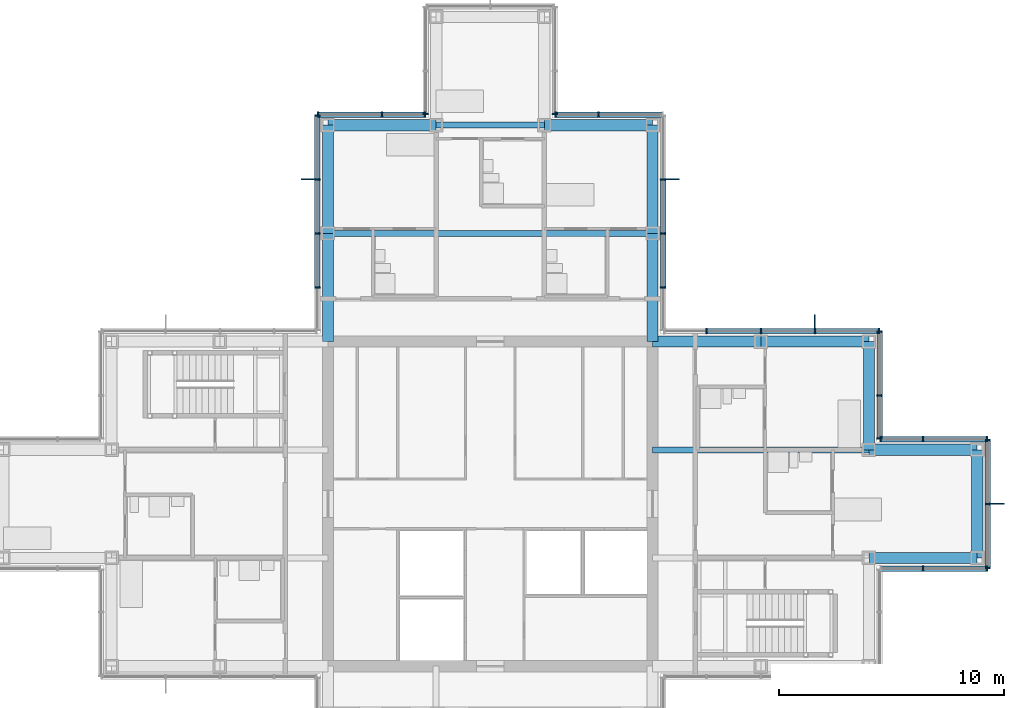
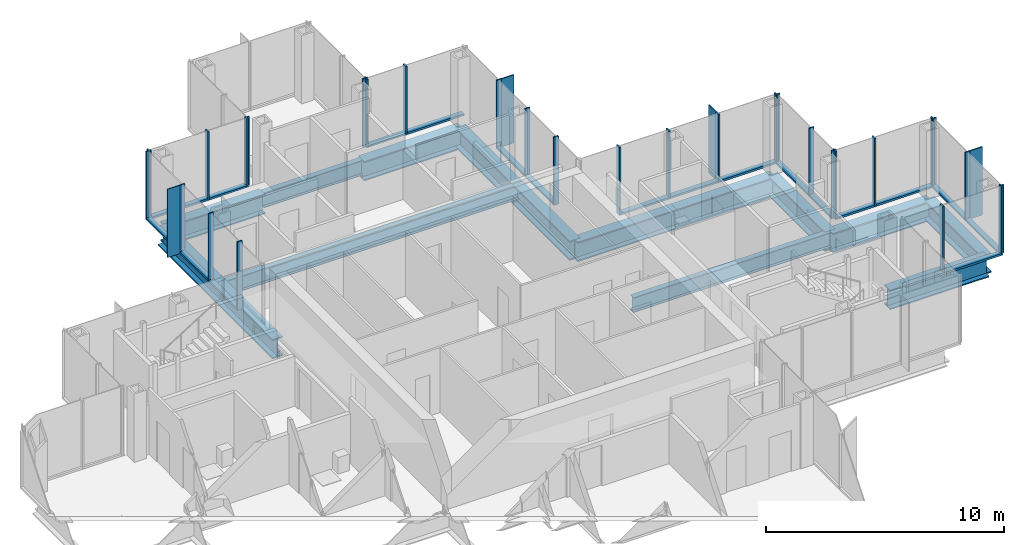
# One storey, part 8 of 17: 53 members, 15 beams, 11 elements without a shape of their own.
"""IFC4 building model written with IfcOpenShell, lengths in metres."""

from ifc_helpers import new_model, si_unit, direction, frame, origin, origin_2d, place, context, subcontext, project, spatial, rectangle, i_section, extrude, material, material_profile, profile_set, type_object, element, aggregate, save


model = new_model("IFC4")

# Units and contexts
model_context = context("Model", 3, precision=1e-05, world=origin(), true_north=direction((0.0, 1.0)))
body_context = subcontext(model_context, "Body", "Model", "MODEL_VIEW")
ifc_project = project(units=[si_unit("LENGTHUNIT", "METRE"), si_unit("AREAUNIT", "SQUARE_METRE"), si_unit("VOLUMEUNIT", "CUBIC_METRE"), si_unit("PLANEANGLEUNIT", "RADIAN"), si_unit("MASSUNIT", "GRAM", prefix="KILO")], contexts=[model_context])

# Site, building, storey
site_placement = place(None, origin())
site = spatial("IfcSite", under=ifc_project, at=site_placement, CompositionType="ELEMENT")
building_placement = place(site_placement, origin())
building = spatial("IfcBuilding", under=site, at=building_placement, Name="Kvirike Care Tower", CompositionType="ELEMENT")
storey_placement = place(building_placement, frame((0.0, 0.0, 176.0)))
storey = spatial("IfcBuildingStorey", under=building, at=storey_placement, Name="L48", CompositionType="ELEMENT", Elevation=176.0)

# Curtain wall, member
ifc_material_1 = material(Name="Anodised aluminium stick system", Category="aluminium")
curtain_wall_type = type_object("IfcCurtainWallType", Name="CW-C STICK CURTAIN WALL", PredefinedType="NOTDEFINED", material=ifc_material_1)
curtain_wall_1_placement = place(storey_placement, origin())
curtain_wall_1 = element("IfcCurtainWall", 1, at=curtain_wall_1_placement, inside=storey, type_object=curtain_wall_type, Name="Curtain wall L48 face 4", PredefinedType="NOTDEFINED")
ifc_material_2 = material(Name="Bronze anodised aluminium fin", Category="aluminium")
ifc_material_profile_1 = material_profile(ifc_material_2, rectangle(XDim=0.050048828125, YDim=0.60009765625, at=origin_2d()), Name="BRONZE FIN 600")
ifc_profile_set_1 = profile_set([ifc_material_profile_1], Name="Bronze anodised aluminium fin")
member_type_1 = type_object("IfcMemberType", Name="BRONZE FIN 600", PredefinedType="USERDEFINED", material=ifc_profile_set_1)
member_1_placement = place(storey_placement, frame((44.090087890625, 36.0, 0.0), z_axis=(0.0, 0.0, 1.0), x_axis=(0.0, 1.0, 0.0)))
member_1 = element("IfcMember", 2, at=member_1_placement, type_object=member_type_1, Name="Bronze fin L48 face 4.2", ObjectType="FIN", PredefinedType="USERDEFINED", context=body_context, shape_type="SweptSolid", body=[
    extrude(rectangle(XDim=0.050048828125, YDim=0.60009765625, at=origin_2d()), origin(), (0.0, 0.0, 1.0), 3.5),
])

curtain_wall_2_placement = place(storey_placement, origin())
curtain_wall_2 = element("IfcCurtainWall", 3, at=curtain_wall_2_placement, inside=storey, type_object=curtain_wall_type, Name="Curtain wall L48 face 7", PredefinedType="NOTDEFINED")
member_2_placement = place(storey_placement, frame((36.0, 44.090087890625, 0.0), z_axis=(0.0, 0.0, 1.0), x_axis=(-1.0, 0.0, 0.0)))
member_2 = element("IfcMember", 4, at=member_2_placement, type_object=member_type_1, Name="Bronze fin L48 face 7.2", ObjectType="FIN", PredefinedType="USERDEFINED", context=body_context, shape_type="SweptSolid", body=[
    extrude(rectangle(XDim=0.050048828125, YDim=0.60009765625, at=origin_2d()), origin(), (0.0, 0.0, 1.0), 3.5),
])

curtain_wall_3_placement = place(storey_placement, origin())
curtain_wall_3 = element("IfcCurtainWall", 5, at=curtain_wall_3_placement, inside=storey, type_object=curtain_wall_type, Name="Curtain wall L48 face 8", PredefinedType="NOTDEFINED")
member_3_placement = place(storey_placement, frame((29.68994140625, 50.39990234375, 0.0), z_axis=(0.0, 0.0, 1.0), x_axis=(0.0, 1.0, 0.0)))
member_3 = element("IfcMember", 6, at=member_3_placement, type_object=member_type_1, Name="Bronze fin L48 face 8.4", ObjectType="FIN", PredefinedType="USERDEFINED", context=body_context, shape_type="SweptSolid", body=[
    extrude(rectangle(XDim=0.050048828125, YDim=0.60009765625, at=origin_2d()), origin(), (0.0, 0.0, 1.0), 3.5),
])

curtain_wall_4_placement = place(storey_placement, origin())
curtain_wall_4 = element("IfcCurtainWall", 7, at=curtain_wall_4_placement, inside=storey, type_object=curtain_wall_type, Name="Curtain wall L48 face 14", PredefinedType="NOTDEFINED")
member_4_placement = place(storey_placement, frame((13.510009765625, 50.39990234375, 0.0), z_axis=(0.0, 0.0, 1.0), x_axis=(0.0, -1.0, 0.0)))
member_4 = element("IfcMember", 8, at=member_4_placement, type_object=member_type_1, Name="Bronze fin L48 face 14.2", ObjectType="FIN", PredefinedType="USERDEFINED", context=body_context, shape_type="SweptSolid", body=[
    extrude(rectangle(XDim=0.050048828125, YDim=0.60009765625, at=origin_2d()), origin(), (0.0, 0.0, 1.0), 3.5),
])

# Curtain wall, members
curtain_wall_5_placement = place(storey_placement, origin())
curtain_wall_5 = element("IfcCurtainWall", 9, at=curtain_wall_5_placement, inside=storey, type_object=curtain_wall_type, Name="Curtain wall L48 face 3", PredefinedType="NOTDEFINED")
ifc_material_3 = material(Name="Bronze anodised aluminium mullion", Category="aluminium")
ifc_material_profile_2 = material_profile(ifc_material_3, rectangle(XDim=0.06494140625, YDim=0.239990234375, at=origin_2d()), Name="CW-C MULLION 65x240")
ifc_profile_set_2 = profile_set([ifc_material_profile_2], Name="Bronze anodised aluminium mullion")
member_type_2 = type_object("IfcMemberType", Name="CW-C MULLION 65x240", PredefinedType="MULLION", material=ifc_profile_set_2)
member_5_placement = place(storey_placement, frame((40.800048828125, 33.1298828125, 0.0), z_axis=(0.0, 0.0, 1.0), x_axis=(1.0, 0.0, 0.0)))
member_5 = element("IfcMember", 10, at=member_5_placement, type_object=member_type_2, Name="CW-C mullion L48 face 3.2", PredefinedType="MULLION", context=body_context, shape_type="SweptSolid", body=[
    extrude(rectangle(XDim=0.06494140625, YDim=0.239990234375, at=origin_2d()), origin(), (0.0, 0.0, 1.0), 3.5),
])
member_6_placement = place(storey_placement, frame((43.637451171875, 33.1298828125, 0.0), z_axis=(0.0, 0.0, 1.0), x_axis=(1.0, 0.0, 0.0)))
member_6 = element("IfcMember", 11, at=member_6_placement, type_object=member_type_2, Name="CW-C mullion L48 face 3.3", PredefinedType="MULLION", context=body_context, shape_type="SweptSolid", body=[
    extrude(rectangle(XDim=0.06494140625, YDim=0.239990234375, at=origin_2d()), origin(), (0.0, 0.0, 1.0), 3.5),
])

# Member
member_7_placement = place(storey_placement, frame((43.669921875, 33.16259765625, 0.0), z_axis=(0.0, 0.0, 1.0), x_axis=(0.0, 1.0, 0.0)))
member_7 = element("IfcMember", 12, at=member_7_placement, type_object=member_type_2, Name="CW-C mullion L48 face 4.1", PredefinedType="MULLION", context=body_context, shape_type="SweptSolid", body=[
    extrude(rectangle(XDim=0.06494140625, YDim=0.239990234375, at=origin_2d()), origin(), (0.0, 0.0, 1.0), 3.5),
])

member_8_placement = place(storey_placement, frame((43.669921875, 36.0, 0.0), z_axis=(0.0, 0.0, 1.0), x_axis=(0.0, 1.0, 0.0)))
member_8 = element("IfcMember", 13, at=member_8_placement, type_object=member_type_2, Name="CW-C mullion L48 face 4.2", PredefinedType="MULLION", context=body_context, shape_type="SweptSolid", body=[
    extrude(rectangle(XDim=0.06494140625, YDim=0.239990234375, at=origin_2d()), origin(), (0.0, 0.0, 1.0), 3.5),
])

member_9_placement = place(storey_placement, frame((43.669921875, 38.83740234375, 0.0), z_axis=(0.0, 0.0, 1.0), x_axis=(0.0, 1.0, 0.0)))
member_9 = element("IfcMember", 14, at=member_9_placement, type_object=member_type_2, Name="CW-C mullion L48 face 4.3", PredefinedType="MULLION", context=body_context, shape_type="SweptSolid", body=[
    extrude(rectangle(XDim=0.06494140625, YDim=0.239990234375, at=origin_2d()), origin(), (0.0, 0.0, 1.0), 3.5),
])

# Curtain wall, members
curtain_wall_6_placement = place(storey_placement, origin())
curtain_wall_6 = element("IfcCurtainWall", 15, at=curtain_wall_6_placement, inside=storey, type_object=curtain_wall_type, Name="Curtain wall L48 face 5", PredefinedType="NOTDEFINED")
member_10_placement = place(storey_placement, frame((43.637451171875, 38.8701171875, 0.0), z_axis=(0.0, 0.0, 1.0), x_axis=(-1.0, 0.0, 0.0)))
member_10 = element("IfcMember", 16, at=member_10_placement, type_object=member_type_2, Name="CW-C mullion L48 face 5.1", PredefinedType="MULLION", context=body_context, shape_type="SweptSolid", body=[
    extrude(rectangle(XDim=0.06494140625, YDim=0.239990234375, at=origin_2d()), origin(), (0.0, 0.0, 1.0), 3.5),
])
member_11_placement = place(storey_placement, frame((40.800048828125, 38.8701171875, 0.0), z_axis=(0.0, 0.0, 1.0), x_axis=(-1.0, 0.0, 0.0)))
member_11 = element("IfcMember", 17, at=member_11_placement, type_object=member_type_2, Name="CW-C mullion L48 face 5.2", PredefinedType="MULLION", context=body_context, shape_type="SweptSolid", body=[
    extrude(rectangle(XDim=0.06494140625, YDim=0.239990234375, at=origin_2d()), origin(), (0.0, 0.0, 1.0), 3.5),
])
member_12_placement = place(storey_placement, frame((38.902587890625, 38.8701171875, 0.0), z_axis=(0.0, 0.0, 1.0), x_axis=(-1.0, 0.0, 0.0)))
member_12 = element("IfcMember", 18, at=member_12_placement, type_object=member_type_2, Name="CW-C mullion L48 face 5.3", PredefinedType="MULLION", context=body_context, shape_type="SweptSolid", body=[
    extrude(rectangle(XDim=0.06494140625, YDim=0.239990234375, at=origin_2d()), origin(), (0.0, 0.0, 1.0), 3.5),
])

curtain_wall_7_placement = place(storey_placement, origin())
curtain_wall_7 = element("IfcCurtainWall", 19, at=curtain_wall_7_placement, inside=storey, type_object=curtain_wall_type, Name="Curtain wall L48 face 6", PredefinedType="NOTDEFINED")
member_13_placement = place(storey_placement, frame((38.8701171875, 38.902587890625, 0.0), z_axis=(0.0, 0.0, 1.0), x_axis=(0.0, 1.0, 0.0)))
member_13 = element("IfcMember", 20, at=member_13_placement, type_object=member_type_2, Name="CW-C mullion L48 face 6.1", PredefinedType="MULLION", context=body_context, shape_type="SweptSolid", body=[
    extrude(rectangle(XDim=0.06494140625, YDim=0.239990234375, at=origin_2d()), origin(), (0.0, 0.0, 1.0), 3.5),
])
member_14_placement = place(storey_placement, frame((38.8701171875, 40.800048828125, 0.0), z_axis=(0.0, 0.0, 1.0), x_axis=(0.0, 1.0, 0.0)))
member_14 = element("IfcMember", 21, at=member_14_placement, type_object=member_type_2, Name="CW-C mullion L48 face 6.2", PredefinedType="MULLION", context=body_context, shape_type="SweptSolid", body=[
    extrude(rectangle(XDim=0.06494140625, YDim=0.239990234375, at=origin_2d()), origin(), (0.0, 0.0, 1.0), 3.5),
])
member_15_placement = place(storey_placement, frame((38.8701171875, 43.637451171875, 0.0), z_axis=(0.0, 0.0, 1.0), x_axis=(0.0, 1.0, 0.0)))
member_15 = element("IfcMember", 22, at=member_15_placement, type_object=member_type_2, Name="CW-C mullion L48 face 6.3", PredefinedType="MULLION", context=body_context, shape_type="SweptSolid", body=[
    extrude(rectangle(XDim=0.06494140625, YDim=0.239990234375, at=origin_2d()), origin(), (0.0, 0.0, 1.0), 3.5),
])

# Member
member_16_placement = place(storey_placement, frame((38.83740234375, 43.669921875, 0.0), z_axis=(0.0, 0.0, 1.0), x_axis=(-1.0, 0.0, 0.0)))
member_16 = element("IfcMember", 23, at=member_16_placement, type_object=member_type_2, Name="CW-C mullion L48 face 7.1", PredefinedType="MULLION", context=body_context, shape_type="SweptSolid", body=[
    extrude(rectangle(XDim=0.06494140625, YDim=0.239990234375, at=origin_2d()), origin(), (0.0, 0.0, 1.0), 3.5),
])

member_17_placement = place(storey_placement, frame((36.0, 43.669921875, 0.0), z_axis=(0.0, 0.0, 1.0), x_axis=(-1.0, 0.0, 0.0)))
member_17 = element("IfcMember", 24, at=member_17_placement, type_object=member_type_2, Name="CW-C mullion L48 face 7.2", PredefinedType="MULLION", context=body_context, shape_type="SweptSolid", body=[
    extrude(rectangle(XDim=0.06494140625, YDim=0.239990234375, at=origin_2d()), origin(), (0.0, 0.0, 1.0), 3.5),
])

member_18_placement = place(storey_placement, frame((33.60009765625, 43.669921875, 0.0), z_axis=(0.0, 0.0, 1.0), x_axis=(-1.0, 0.0, 0.0)))
member_18 = element("IfcMember", 25, at=member_18_placement, type_object=member_type_2, Name="CW-C mullion L48 face 7.3", PredefinedType="MULLION", context=body_context, shape_type="SweptSolid", body=[
    extrude(rectangle(XDim=0.06494140625, YDim=0.239990234375, at=origin_2d()), origin(), (0.0, 0.0, 1.0), 3.5),
])

member_19_placement = place(storey_placement, frame((31.199951171875, 43.669921875, 0.0), z_axis=(0.0, 0.0, 1.0), x_axis=(-1.0, 0.0, 0.0)))
member_19 = element("IfcMember", 26, at=member_19_placement, type_object=member_type_2, Name="CW-C mullion L48 face 7.4", PredefinedType="MULLION", context=body_context, shape_type="SweptSolid", body=[
    extrude(rectangle(XDim=0.06494140625, YDim=0.239990234375, at=origin_2d()), origin(), (0.0, 0.0, 1.0), 3.5),
])

member_20_placement = place(storey_placement, frame((29.27001953125, 45.60009765625, 0.0), z_axis=(0.0, 0.0, 1.0), x_axis=(0.0, 1.0, 0.0)))
member_20 = element("IfcMember", 27, at=member_20_placement, type_object=member_type_2, Name="CW-C mullion L48 face 8.2", PredefinedType="MULLION", context=body_context, shape_type="SweptSolid", body=[
    extrude(rectangle(XDim=0.06494140625, YDim=0.239990234375, at=origin_2d()), origin(), (0.0, 0.0, 1.0), 3.5),
])

member_21_placement = place(storey_placement, frame((29.27001953125, 48.0, 0.0), z_axis=(0.0, 0.0, 1.0), x_axis=(0.0, 1.0, 0.0)))
member_21 = element("IfcMember", 28, at=member_21_placement, type_object=member_type_2, Name="CW-C mullion L48 face 8.3", PredefinedType="MULLION", context=body_context, shape_type="SweptSolid", body=[
    extrude(rectangle(XDim=0.06494140625, YDim=0.239990234375, at=origin_2d()), origin(), (0.0, 0.0, 1.0), 3.5),
])

member_22_placement = place(storey_placement, frame((29.27001953125, 50.39990234375, 0.0), z_axis=(0.0, 0.0, 1.0), x_axis=(0.0, 1.0, 0.0)))
member_22 = element("IfcMember", 29, at=member_22_placement, type_object=member_type_2, Name="CW-C mullion L48 face 8.4", PredefinedType="MULLION", context=body_context, shape_type="SweptSolid", body=[
    extrude(rectangle(XDim=0.06494140625, YDim=0.239990234375, at=origin_2d()), origin(), (0.0, 0.0, 1.0), 3.5),
])

# Curtain wall, members
curtain_wall_8_placement = place(storey_placement, origin())
curtain_wall_8 = element("IfcCurtainWall", 30, at=curtain_wall_8_placement, inside=storey, type_object=curtain_wall_type, Name="Curtain wall L48 face 9", PredefinedType="NOTDEFINED")
member_23_placement = place(storey_placement, frame((26.39990234375, 53.27001953125, 0.0), z_axis=(0.0, 0.0, 1.0), x_axis=(-1.0, 0.0, 0.0)))
member_23 = element("IfcMember", 31, at=member_23_placement, type_object=member_type_2, Name="CW-C mullion L48 face 9.2", PredefinedType="MULLION", context=body_context, shape_type="SweptSolid", body=[
    extrude(rectangle(XDim=0.06494140625, YDim=0.239990234375, at=origin_2d()), origin(), (0.0, 0.0, 1.0), 3.5),
])
member_24_placement = place(storey_placement, frame((24.50244140625, 53.27001953125, 0.0), z_axis=(0.0, 0.0, 1.0), x_axis=(-1.0, 0.0, 0.0)))
member_24 = element("IfcMember", 32, at=member_24_placement, type_object=member_type_2, Name="CW-C mullion L48 face 9.3", PredefinedType="MULLION", context=body_context, shape_type="SweptSolid", body=[
    extrude(rectangle(XDim=0.06494140625, YDim=0.239990234375, at=origin_2d()), origin(), (0.0, 0.0, 1.0), 3.5),
])

# Curtain wall, member
curtain_wall_9_placement = place(storey_placement, origin())
curtain_wall_9 = element("IfcCurtainWall", 33, at=curtain_wall_9_placement, inside=storey, type_object=curtain_wall_type, Name="Curtain wall L48 face 10", PredefinedType="NOTDEFINED")
member_25_placement = place(storey_placement, frame((24.469970703125, 53.302490234375, 0.0), z_axis=(0.0, 0.0, 1.0), x_axis=(0.0, 1.0, 0.0)))
member_25 = element("IfcMember", 34, at=member_25_placement, type_object=member_type_2, Name="CW-C mullion L48 face 10.1", PredefinedType="MULLION", context=body_context, shape_type="SweptSolid", body=[
    extrude(rectangle(XDim=0.06494140625, YDim=0.239990234375, at=origin_2d()), origin(), (0.0, 0.0, 1.0), 3.5),
])
aggregate(curtain_wall_9, [member_25])

curtain_wall_10_placement = place(storey_placement, origin())
curtain_wall_10 = element("IfcCurtainWall", 35, at=curtain_wall_10_placement, inside=storey, type_object=curtain_wall_type, Name="Curtain wall L48 face 12", PredefinedType="NOTDEFINED")
member_26_placement = place(storey_placement, frame((18.72998046875, 53.302490234375, 0.0), z_axis=(0.0, 0.0, 1.0), x_axis=(0.0, -1.0, 0.0)))
member_26 = element("IfcMember", 36, at=member_26_placement, type_object=member_type_2, Name="CW-C mullion L48 face 12.3", PredefinedType="MULLION", context=body_context, shape_type="SweptSolid", body=[
    extrude(rectangle(XDim=0.06494140625, YDim=0.239990234375, at=origin_2d()), origin(), (0.0, 0.0, 1.0), 3.5),
])
aggregate(curtain_wall_10, [member_26])

# Curtain wall, members
curtain_wall_11_placement = place(storey_placement, origin())
curtain_wall_11 = element("IfcCurtainWall", 37, at=curtain_wall_11_placement, inside=storey, type_object=curtain_wall_type, Name="Curtain wall L48 face 13", PredefinedType="NOTDEFINED")
member_27_placement = place(storey_placement, frame((18.697509765625, 53.27001953125, 0.0), z_axis=(0.0, 0.0, 1.0), x_axis=(-1.0, 0.0, 0.0)))
member_27 = element("IfcMember", 38, at=member_27_placement, type_object=member_type_2, Name="CW-C mullion L48 face 13.1", PredefinedType="MULLION", context=body_context, shape_type="SweptSolid", body=[
    extrude(rectangle(XDim=0.06494140625, YDim=0.239990234375, at=origin_2d()), origin(), (0.0, 0.0, 1.0), 3.5),
])
member_28_placement = place(storey_placement, frame((16.800048828125, 53.27001953125, 0.0), z_axis=(0.0, 0.0, 1.0), x_axis=(-1.0, 0.0, 0.0)))
member_28 = element("IfcMember", 39, at=member_28_placement, type_object=member_type_2, Name="CW-C mullion L48 face 13.2", PredefinedType="MULLION", context=body_context, shape_type="SweptSolid", body=[
    extrude(rectangle(XDim=0.06494140625, YDim=0.239990234375, at=origin_2d()), origin(), (0.0, 0.0, 1.0), 3.5),
])
member_29_placement = place(storey_placement, frame((13.96240234375, 53.27001953125, 0.0), z_axis=(0.0, 0.0, 1.0), x_axis=(-1.0, 0.0, 0.0)))
member_29 = element("IfcMember", 40, at=member_29_placement, type_object=member_type_2, Name="CW-C mullion L48 face 13.3", PredefinedType="MULLION", context=body_context, shape_type="SweptSolid", body=[
    extrude(rectangle(XDim=0.06494140625, YDim=0.239990234375, at=origin_2d()), origin(), (0.0, 0.0, 1.0), 3.5),
])

# Member
member_30_placement = place(storey_placement, frame((13.929931640625, 53.237548828125, 0.0), z_axis=(0.0, 0.0, 1.0), x_axis=(0.0, -1.0, 0.0)))
member_30 = element("IfcMember", 41, at=member_30_placement, type_object=member_type_2, Name="CW-C mullion L48 face 14.1", PredefinedType="MULLION", context=body_context, shape_type="SweptSolid", body=[
    extrude(rectangle(XDim=0.06494140625, YDim=0.239990234375, at=origin_2d()), origin(), (0.0, 0.0, 1.0), 3.5),
])

member_31_placement = place(storey_placement, frame((13.929931640625, 50.39990234375, 0.0), z_axis=(0.0, 0.0, 1.0), x_axis=(0.0, -1.0, 0.0)))
member_31 = element("IfcMember", 42, at=member_31_placement, type_object=member_type_2, Name="CW-C mullion L48 face 14.2", PredefinedType="MULLION", context=body_context, shape_type="SweptSolid", body=[
    extrude(rectangle(XDim=0.06494140625, YDim=0.239990234375, at=origin_2d()), origin(), (0.0, 0.0, 1.0), 3.5),
])

member_32_placement = place(storey_placement, frame((13.929931640625, 48.0, 0.0), z_axis=(0.0, 0.0, 1.0), x_axis=(0.0, -1.0, 0.0)))
member_32 = element("IfcMember", 43, at=member_32_placement, type_object=member_type_2, Name="CW-C mullion L48 face 14.3", PredefinedType="MULLION", context=body_context, shape_type="SweptSolid", body=[
    extrude(rectangle(XDim=0.06494140625, YDim=0.239990234375, at=origin_2d()), origin(), (0.0, 0.0, 1.0), 3.5),
])

member_33_placement = place(storey_placement, frame((13.929931640625, 45.60009765625, 0.0), z_axis=(0.0, 0.0, 1.0), x_axis=(0.0, -1.0, 0.0)))
member_33 = element("IfcMember", 44, at=member_33_placement, type_object=member_type_2, Name="CW-C mullion L48 face 14.4", PredefinedType="MULLION", context=body_context, shape_type="SweptSolid", body=[
    extrude(rectangle(XDim=0.06494140625, YDim=0.239990234375, at=origin_2d()), origin(), (0.0, 0.0, 1.0), 3.5),
])

ifc_material_4 = material(Name="Bronze anodised aluminium transom", Category="aluminium")
ifc_material_profile_3 = material_profile(ifc_material_4, rectangle(XDim=0.239990234375, YDim=0.10009765625, at=origin_2d()), Name="CW-C TRANSOM 240x100")
ifc_profile_set_3 = profile_set([ifc_material_profile_3], Name="Bronze anodised aluminium transom")
member_type_3 = type_object("IfcMemberType", Name="CW-C TRANSOM 240x100", PredefinedType="USERDEFINED", material=ifc_profile_set_3)
member_34_placement = place(storey_placement, frame((38.93505859375, 33.1298828125, 0.050048828125), z_axis=(1.0, 0.0, 0.0), x_axis=(0.0, 1.0, 0.0)))
member_34 = element("IfcMember", 45, at=member_34_placement, type_object=member_type_3, Name="CW-C sill transom L48 face 3.1", ObjectType="TRANSOM", PredefinedType="USERDEFINED", context=body_context, shape_type="SweptSolid", body=[
    extrude(rectangle(XDim=0.239990234375, YDim=0.10009765625, at=origin_2d()), origin(), (0.0, 0.0, 1.0), 1.83251953125),
])

member_35_placement = place(storey_placement, frame((40.83251953125, 33.1298828125, 0.050048828125), z_axis=(1.0, 0.0, 0.0), x_axis=(0.0, 1.0, 0.0)))
member_35 = element("IfcMember", 46, at=member_35_placement, type_object=member_type_3, Name="CW-C sill transom L48 face 3.2", ObjectType="TRANSOM", PredefinedType="USERDEFINED", context=body_context, shape_type="SweptSolid", body=[
    extrude(rectangle(XDim=0.239990234375, YDim=0.10009765625, at=origin_2d()), origin(), (0.0, 0.0, 1.0), 2.7724609375),
])

aggregate(curtain_wall_5, [member_5, member_6, member_34, member_35])

member_36_placement = place(storey_placement, frame((43.669921875, 33.195068359375, 0.050048828125), z_axis=(0.0, 1.0, 0.0), x_axis=(-1.0, 0.0, 0.0)))
member_36 = element("IfcMember", 47, at=member_36_placement, type_object=member_type_3, Name="CW-C sill transom L48 face 4.1", ObjectType="TRANSOM", PredefinedType="USERDEFINED", context=body_context, shape_type="SweptSolid", body=[
    extrude(rectangle(XDim=0.239990234375, YDim=0.10009765625, at=origin_2d()), origin(), (0.0, 0.0, 1.0), 2.7724609375),
])

member_37_placement = place(storey_placement, frame((43.669921875, 36.032470703125, 0.050048828125), z_axis=(0.0, 1.0, 0.0), x_axis=(-1.0, 0.0, 0.0)))
member_37 = element("IfcMember", 48, at=member_37_placement, type_object=member_type_3, Name="CW-C sill transom L48 face 4.2", ObjectType="TRANSOM", PredefinedType="USERDEFINED", context=body_context, shape_type="SweptSolid", body=[
    extrude(rectangle(XDim=0.239990234375, YDim=0.10009765625, at=origin_2d()), origin(), (0.0, 0.0, 1.0), 2.7724609375),
])

aggregate(curtain_wall_1, [member_7, member_8, member_1, member_9, member_36, member_37])

member_38_placement = place(storey_placement, frame((43.60498046875, 38.8701171875, 0.050048828125), z_axis=(-1.0, 0.0, 0.0), x_axis=(0.0, -1.0, 0.0)))
member_38 = element("IfcMember", 49, at=member_38_placement, type_object=member_type_3, Name="CW-C sill transom L48 face 5.1", ObjectType="TRANSOM", PredefinedType="USERDEFINED", context=body_context, shape_type="SweptSolid", body=[
    extrude(rectangle(XDim=0.239990234375, YDim=0.10009765625, at=origin_2d()), origin(), (0.0, 0.0, 1.0), 2.7724609375),
])

member_39_placement = place(storey_placement, frame((40.767578125, 38.8701171875, 0.050048828125), z_axis=(-1.0, 0.0, 0.0), x_axis=(0.0, -1.0, 0.0)))
member_39 = element("IfcMember", 50, at=member_39_placement, type_object=member_type_3, Name="CW-C sill transom L48 face 5.2", ObjectType="TRANSOM", PredefinedType="USERDEFINED", context=body_context, shape_type="SweptSolid", body=[
    extrude(rectangle(XDim=0.239990234375, YDim=0.10009765625, at=origin_2d()), origin(), (0.0, 0.0, 1.0), 1.83251953125),
])

aggregate(curtain_wall_6, [member_10, member_11, member_12, member_38, member_39])

member_40_placement = place(storey_placement, frame((38.8701171875, 38.93505859375, 0.050048828125), z_axis=(0.0, 1.0, 0.0), x_axis=(-1.0, 0.0, 0.0)))
member_40 = element("IfcMember", 51, at=member_40_placement, type_object=member_type_3, Name="CW-C sill transom L48 face 6.1", ObjectType="TRANSOM", PredefinedType="USERDEFINED", context=body_context, shape_type="SweptSolid", body=[
    extrude(rectangle(XDim=0.239990234375, YDim=0.10009765625, at=origin_2d()), origin(), (0.0, 0.0, 1.0), 1.83251953125),
])

member_41_placement = place(storey_placement, frame((38.8701171875, 40.83251953125, 0.050048828125), z_axis=(0.0, 1.0, 0.0), x_axis=(-1.0, 0.0, 0.0)))
member_41 = element("IfcMember", 52, at=member_41_placement, type_object=member_type_3, Name="CW-C sill transom L48 face 6.2", ObjectType="TRANSOM", PredefinedType="USERDEFINED", context=body_context, shape_type="SweptSolid", body=[
    extrude(rectangle(XDim=0.239990234375, YDim=0.10009765625, at=origin_2d()), origin(), (0.0, 0.0, 1.0), 2.7724609375),
])

aggregate(curtain_wall_7, [member_13, member_14, member_15, member_40, member_41])

member_42_placement = place(storey_placement, frame((38.804931640625, 43.669921875, 0.050048828125), z_axis=(-1.0, 0.0, 0.0), x_axis=(0.0, -1.0, 0.0)))
member_42 = element("IfcMember", 53, at=member_42_placement, type_object=member_type_3, Name="CW-C sill transom L48 face 7.1", ObjectType="TRANSOM", PredefinedType="USERDEFINED", context=body_context, shape_type="SweptSolid", body=[
    extrude(rectangle(XDim=0.239990234375, YDim=0.10009765625, at=origin_2d()), origin(), (0.0, 0.0, 1.0), 2.7724609375),
])

member_43_placement = place(storey_placement, frame((35.967529296875, 43.669921875, 0.050048828125), z_axis=(-1.0, 0.0, 0.0), x_axis=(0.0, -1.0, 0.0)))
member_43 = element("IfcMember", 54, at=member_43_placement, type_object=member_type_3, Name="CW-C sill transom L48 face 7.2", ObjectType="TRANSOM", PredefinedType="USERDEFINED", context=body_context, shape_type="SweptSolid", body=[
    extrude(rectangle(XDim=0.239990234375, YDim=0.10009765625, at=origin_2d()), origin(), (0.0, 0.0, 1.0), 2.3349609375),
])

member_44_placement = place(storey_placement, frame((33.5673828125, 43.669921875, 0.050048828125), z_axis=(-1.0, 0.0, 0.0), x_axis=(0.0, -1.0, 0.0)))
member_44 = element("IfcMember", 55, at=member_44_placement, type_object=member_type_3, Name="CW-C sill transom L48 face 7.3", ObjectType="TRANSOM", PredefinedType="USERDEFINED", context=body_context, shape_type="SweptSolid", body=[
    extrude(rectangle(XDim=0.239990234375, YDim=0.10009765625, at=origin_2d()), origin(), (0.0, 0.0, 1.0), 2.3349609375),
])

aggregate(curtain_wall_2, [member_16, member_17, member_2, member_18, member_19, member_42, member_43, member_44])

member_45_placement = place(storey_placement, frame((29.27001953125, 45.632568359375, 0.050048828125), z_axis=(0.0, 1.0, 0.0), x_axis=(-1.0, 0.0, 0.0)))
member_45 = element("IfcMember", 56, at=member_45_placement, type_object=member_type_3, Name="CW-C sill transom L48 face 8.2", ObjectType="TRANSOM", PredefinedType="USERDEFINED", context=body_context, shape_type="SweptSolid", body=[
    extrude(rectangle(XDim=0.239990234375, YDim=0.10009765625, at=origin_2d()), origin(), (0.0, 0.0, 1.0), 2.3349609375),
])

member_46_placement = place(storey_placement, frame((29.27001953125, 48.032470703125, 0.050048828125), z_axis=(0.0, 1.0, 0.0), x_axis=(-1.0, 0.0, 0.0)))
member_46 = element("IfcMember", 57, at=member_46_placement, type_object=member_type_3, Name="CW-C sill transom L48 face 8.3", ObjectType="TRANSOM", PredefinedType="USERDEFINED", context=body_context, shape_type="SweptSolid", body=[
    extrude(rectangle(XDim=0.239990234375, YDim=0.10009765625, at=origin_2d()), origin(), (0.0, 0.0, 1.0), 2.3349609375),
])

aggregate(curtain_wall_3, [member_20, member_21, member_22, member_3, member_45, member_46])

member_47_placement = place(storey_placement, frame((29.205078125, 53.27001953125, 0.050048828125), z_axis=(-1.0, 0.0, 0.0), x_axis=(0.0, -1.0, 0.0)))
member_47 = element("IfcMember", 58, at=member_47_placement, type_object=member_type_3, Name="CW-C sill transom L48 face 9.1", ObjectType="TRANSOM", PredefinedType="USERDEFINED", context=body_context, shape_type="SweptSolid", body=[
    extrude(rectangle(XDim=0.239990234375, YDim=0.10009765625, at=origin_2d()), origin(), (0.0, 0.0, 1.0), 2.7724609375),
])

member_48_placement = place(storey_placement, frame((26.367431640625, 53.27001953125, 0.050048828125), z_axis=(-1.0, 0.0, 0.0), x_axis=(0.0, -1.0, 0.0)))
member_48 = element("IfcMember", 59, at=member_48_placement, type_object=member_type_3, Name="CW-C sill transom L48 face 9.2", ObjectType="TRANSOM", PredefinedType="USERDEFINED", context=body_context, shape_type="SweptSolid", body=[
    extrude(rectangle(XDim=0.239990234375, YDim=0.10009765625, at=origin_2d()), origin(), (0.0, 0.0, 1.0), 1.83251953125),
])

aggregate(curtain_wall_8, [member_23, member_24, member_47, member_48])

member_49_placement = place(storey_placement, frame((18.6650390625, 53.27001953125, 0.050048828125), z_axis=(-1.0, 0.0, 0.0), x_axis=(0.0, -1.0, 0.0)))
member_49 = element("IfcMember", 60, at=member_49_placement, type_object=member_type_3, Name="CW-C sill transom L48 face 13.1", ObjectType="TRANSOM", PredefinedType="USERDEFINED", context=body_context, shape_type="SweptSolid", body=[
    extrude(rectangle(XDim=0.239990234375, YDim=0.10009765625, at=origin_2d()), origin(), (0.0, 0.0, 1.0), 1.83251953125),
])

member_50_placement = place(storey_placement, frame((16.767578125, 53.27001953125, 0.050048828125), z_axis=(-1.0, 0.0, 0.0), x_axis=(0.0, -1.0, 0.0)))
member_50 = element("IfcMember", 61, at=member_50_placement, type_object=member_type_3, Name="CW-C sill transom L48 face 13.2", ObjectType="TRANSOM", PredefinedType="USERDEFINED", context=body_context, shape_type="SweptSolid", body=[
    extrude(rectangle(XDim=0.239990234375, YDim=0.10009765625, at=origin_2d()), origin(), (0.0, 0.0, 1.0), 2.7724609375),
])

aggregate(curtain_wall_11, [member_27, member_28, member_29, member_49, member_50])

member_51_placement = place(storey_placement, frame((13.929931640625, 53.205078125, 0.050048828125), z_axis=(0.0, -1.0, 0.0), x_axis=(1.0, 0.0, 0.0)))
member_51 = element("IfcMember", 62, at=member_51_placement, type_object=member_type_3, Name="CW-C sill transom L48 face 14.1", ObjectType="TRANSOM", PredefinedType="USERDEFINED", context=body_context, shape_type="SweptSolid", body=[
    extrude(rectangle(XDim=0.239990234375, YDim=0.10009765625, at=origin_2d()), origin(), (0.0, 0.0, 1.0), 2.7724609375),
])

member_52_placement = place(storey_placement, frame((13.929931640625, 50.367431640625, 0.050048828125), z_axis=(0.0, -1.0, 0.0), x_axis=(1.0, 0.0, 0.0)))
member_52 = element("IfcMember", 63, at=member_52_placement, type_object=member_type_3, Name="CW-C sill transom L48 face 14.2", ObjectType="TRANSOM", PredefinedType="USERDEFINED", context=body_context, shape_type="SweptSolid", body=[
    extrude(rectangle(XDim=0.239990234375, YDim=0.10009765625, at=origin_2d()), origin(), (0.0, 0.0, 1.0), 2.3349609375),
])

member_53_placement = place(storey_placement, frame((13.929931640625, 47.967529296875, 0.050048828125), z_axis=(0.0, -1.0, 0.0), x_axis=(1.0, 0.0, 0.0)))
member_53 = element("IfcMember", 64, at=member_53_placement, type_object=member_type_3, Name="CW-C sill transom L48 face 14.3", ObjectType="TRANSOM", PredefinedType="USERDEFINED", context=body_context, shape_type="SweptSolid", body=[
    extrude(rectangle(XDim=0.239990234375, YDim=0.10009765625, at=origin_2d()), origin(), (0.0, 0.0, 1.0), 2.3349609375),
])

aggregate(curtain_wall_4, [member_30, member_31, member_4, member_32, member_33, member_51, member_52, member_53])

# Beams
ifc_material_5 = material(Name="Steel S355", Category="steel")
ifc_material_profile_4 = material_profile(ifc_material_5, i_section(OverallWidth=0.26806640625, OverallDepth=0.77001953125, WebThickness=0.015625, FlangeThickness=0.025390625, FilletRadius=0.01708984375, at=origin_2d()), Name="IPE 750x196")
ifc_profile_set_4 = profile_set([ifc_material_profile_4], Name="Steel S355")
beam_type_1 = type_object("IfcBeamType", Name="FLOOR BEAM IPE 750x196", PredefinedType="BEAM", material=ifc_profile_set_4)
beam_1_placement = place(storey_placement, frame((28.800048828125, 38.39990234375, -0.554931640625), z_axis=(1.0, 0.0, 0.0), x_axis=(0.0, 1.0, 0.0)))
element("IfcBeam", 65, at=beam_1_placement, inside=storey, type_object=beam_type_1, Name="Floor Beam J9-J11 L48", PredefinedType="BEAM", context=body_context, shape_type="SweptSolid", body=[
    extrude(i_section(OverallWidth=0.26806640625, OverallDepth=0.77001953125, WebThickness=0.015625, FlangeThickness=0.025390625, FilletRadius=0.01708984375, at=origin_2d()), origin(), (0.0, 0.0, 1.0), 9.599853515625),
])
beam_2_placement = place(storey_placement, frame((14.39990234375, 48.0, -0.554931640625), z_axis=(1.0, 0.0, 0.0), x_axis=(0.0, 1.0, 0.0)))
element("IfcBeam", 66, at=beam_2_placement, inside=storey, type_object=beam_type_1, Name="Floor Beam L6-L9 L48", PredefinedType="BEAM", context=body_context, shape_type="SweptSolid", body=[
    extrude(i_section(OverallWidth=0.26806640625, OverallDepth=0.77001953125, WebThickness=0.015625, FlangeThickness=0.025390625, FilletRadius=0.01708984375, at=origin_2d()), origin(), (0.0, 0.0, 1.0), 14.400146484375),
])
beam_3_placement = place(storey_placement, frame((19.199951171875, 52.800048828125, -0.554931640625), z_axis=(1.0, 0.0, 0.0), x_axis=(0.0, 1.0, 0.0)))
element("IfcBeam", 67, at=beam_3_placement, inside=storey, type_object=beam_type_1, Name="Floor Beam M7-M8 L48", PredefinedType="BEAM", context=body_context, shape_type="SweptSolid", body=[
    extrude(i_section(OverallWidth=0.26806640625, OverallDepth=0.77001953125, WebThickness=0.015625, FlangeThickness=0.025390625, FilletRadius=0.01708984375, at=origin_2d()), origin(), (0.0, 0.0, 1.0), 4.800048828125),
])
ifc_material_6 = material(Name="Steel S355", Category="steel")
ifc_material_profile_5 = material_profile(ifc_material_6, i_section(OverallWidth=0.5, OverallDepth=1.0, WebThickness=0.030029296875, FlangeThickness=0.06005859375, at=origin_2d()), Name="PG 1000x500x30x60")
ifc_profile_set_5 = profile_set([ifc_material_profile_5], Name="Steel S355")
beam_type_2 = type_object("IfcBeamType", Name="SPANDREL PG 1000x500x30x60", PredefinedType="SPANDREL", material=ifc_profile_set_5)
for number, where, z_axis, x_axis, name in (
    (68, (38.39990234375, 33.60009765625, -0.669921875), (1.0, 0.0, 0.0), (0.0, 1.0, 0.0), "Spandrel H11-H12 L48"),
    (69, (38.39990234375, 38.39990234375, -0.669921875), (1.0, 0.0, 0.0), (0.0, 1.0, 0.0), "Spandrel J11-J12 L48"),
    (70, (28.800048828125, 43.199951171875, -0.669921875), (1.0, 0.0, 0.0), (0.0, 1.0, 0.0), "Spandrel K9-K10 L48"),
):
    element("IfcBeam", number, at=place(storey_placement, frame(where, z_axis=z_axis, x_axis=x_axis)), inside=storey, type_object=beam_type_2, Name=name, PredefinedType="SPANDREL", context=body_context, shape_type="SweptSolid", body=[
        extrude(i_section(OverallWidth=0.5, OverallDepth=1.0, WebThickness=0.030029296875, FlangeThickness=0.06005859375, at=origin_2d()), origin(), (0.0, 0.0, 1.0), 4.800048828125),
    ])
beam_4_placement = place(storey_placement, frame((33.60009765625, 43.199951171875, -0.669921875), z_axis=(1.0, 0.0, 0.0), x_axis=(0.0, 1.0, 0.0)))
element("IfcBeam", 71, at=beam_4_placement, inside=storey, type_object=beam_type_2, Name="Spandrel K10-K11 L48", PredefinedType="SPANDREL", context=body_context, shape_type="SweptSolid", body=[
    extrude(i_section(OverallWidth=0.5, OverallDepth=1.0, WebThickness=0.030029296875, FlangeThickness=0.06005859375, at=origin_2d()), origin(), (0.0, 0.0, 1.0), 4.7998046875),
])
for number, where, z_axis, x_axis, name in (
    (72, (14.39990234375, 52.800048828125, -0.669921875), (1.0, 0.0, 0.0), (0.0, 1.0, 0.0), "Spandrel M6-M7 L48"),
    (73, (24.0, 52.800048828125, -0.669921875), (1.0, 0.0, 0.0), (0.0, 1.0, 0.0), "Spandrel M8-M9 L48"),
    (74, (14.39990234375, 43.199951171875, -0.669921875), (0.0, 1.0, 0.0), (-1.0, 0.0, 0.0), "Spandrel K6-L6 L48"),
    (75, (14.39990234375, 48.0, -0.669921875), (0.0, 1.0, 0.0), (-1.0, 0.0, 0.0), "Spandrel L6-M6 L48"),
    (76, (28.800048828125, 43.199951171875, -0.669921875), (0.0, 1.0, 0.0), (-1.0, 0.0, 0.0), "Spandrel K9-L9 L48"),
    (77, (28.800048828125, 48.0, -0.669921875), (0.0, 1.0, 0.0), (-1.0, 0.0, 0.0), "Spandrel L9-M9 L48"),
    (78, (38.39990234375, 38.39990234375, -0.669921875), (0.0, 1.0, 0.0), (-1.0, 0.0, 0.0), "Spandrel J11-K11 L48"),
):
    element("IfcBeam", number, at=place(storey_placement, frame(where, z_axis=z_axis, x_axis=x_axis)), inside=storey, type_object=beam_type_2, Name=name, PredefinedType="SPANDREL", context=body_context, shape_type="SweptSolid", body=[
        extrude(i_section(OverallWidth=0.5, OverallDepth=1.0, WebThickness=0.030029296875, FlangeThickness=0.06005859375, at=origin_2d()), origin(), (0.0, 0.0, 1.0), 4.800048828125),
    ])
beam_5_placement = place(storey_placement, frame((43.199951171875, 33.60009765625, -0.669921875), z_axis=(0.0, 1.0, 0.0), x_axis=(-1.0, 0.0, 0.0)))
element("IfcBeam", 79, at=beam_5_placement, inside=storey, type_object=beam_type_2, Name="Spandrel H12-J12 L48", PredefinedType="SPANDREL", context=body_context, shape_type="SweptSolid", body=[
    extrude(i_section(OverallWidth=0.5, OverallDepth=1.0, WebThickness=0.030029296875, FlangeThickness=0.06005859375, at=origin_2d()), origin(), (0.0, 0.0, 1.0), 4.7998046875),
])

save(model, "model.ifc")
